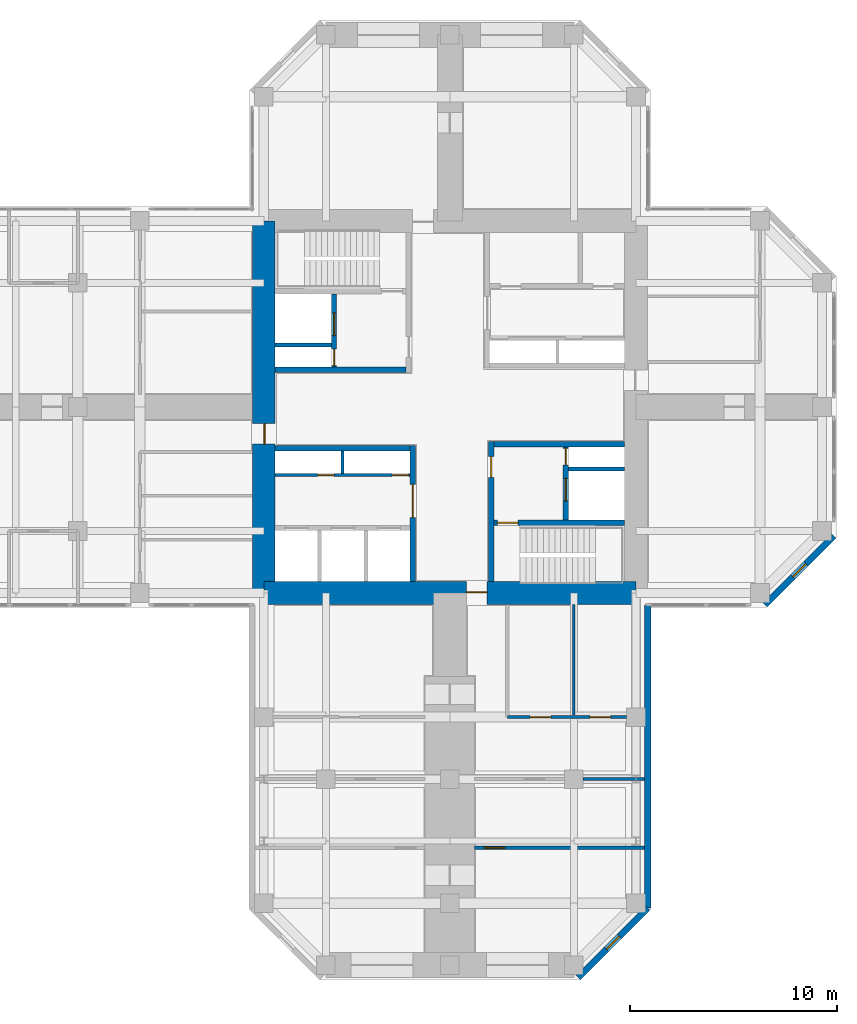
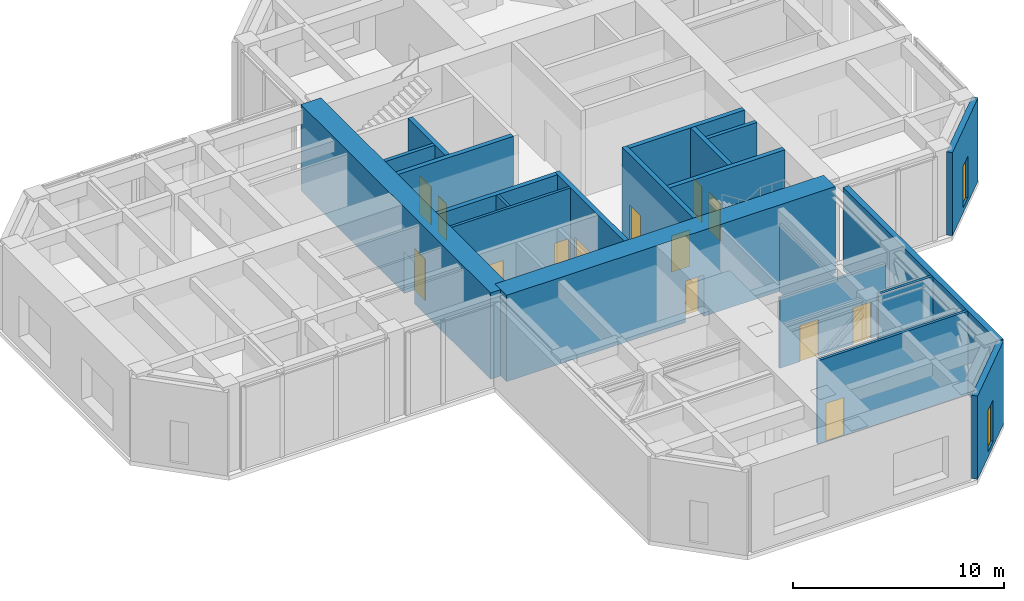
# One storey, part 7 of 10: 21 walls, 14 doors, 2 windows, 16 openings.
"""IFC4 building model written with IfcOpenShell, lengths in metres."""

from ifc_helpers import new_model, si_unit, direction, frame, frame_2d, origin, place, context, subcontext, project, spatial, rectangle, hollow_rectangle, extrude, material, layer, layer_set, constituent, constituent_set, type_object, element, fill, save


model = new_model("IFC4")

# Units and contexts
model_context = context("Model", 3, precision=1e-05, world=origin(), true_north=direction((0.0, 1.0)))
body_context = subcontext(model_context, "Body", "Model", "MODEL_VIEW")
ifc_project = project(units=[si_unit("LENGTHUNIT", "METRE"), si_unit("AREAUNIT", "SQUARE_METRE"), si_unit("VOLUMEUNIT", "CUBIC_METRE"), si_unit("PLANEANGLEUNIT", "RADIAN"), si_unit("MASSUNIT", "GRAM", prefix="KILO")], contexts=[model_context])

# Site, building, storey
site_placement = place(None, origin())
site = spatial("IfcSite", under=ifc_project, at=site_placement, CompositionType="ELEMENT")
building_placement = place(site_placement, origin())
building = spatial("IfcBuilding", under=site, at=building_placement, Name="Torre Cruceta", CompositionType="ELEMENT")
storey_placement = place(building_placement, frame((0.0, 0.0, 217.10009765625)))
storey = spatial("IfcBuildingStorey", under=building, at=storey_placement, Name="L55", CompositionType="ELEMENT", Elevation=217.10009765625)

# Wall
ifc_material_1 = material(Name="Concrete G60 (fck 60 MPa)", Category="concrete")
ifc_layer_1 = layer(ifc_material_1, 0.25)
ifc_layer_set_1 = layer_set([ifc_layer_1], Name="Concrete G60 (fck 60 MPa)")
wall_type_1 = type_object("IfcWallType", Name="CORE INNER WALL 250 G60", PredefinedType="SHEAR", material=ifc_layer_set_1)
wall_1_placement = place(storey_placement, frame((-2.125, 1.800048828125, 0.0), z_axis=(0.0, 0.0, 1.0), x_axis=(-1.0, 0.0, 0.0)))
element("IfcWall", 1, at=wall_1_placement, inside=storey, type_object=wall_type_1, Name="CW4 L55 NW-CV", PredefinedType="SHEAR", context=body_context, shape_type="SweptSolid", body=[
    extrude(rectangle(XDim=6.324951171875, YDim=0.25, at=frame_2d((3.16259765625, 0.0))), origin(), (0.0, 0.0, 1.0), 5.0),
])

# Wall, openings, doors
wall_2_placement = place(storey_placement, frame((-5.60009765625, 1.925048828125, 0.0), z_axis=(0.0, 0.0, 1.0), x_axis=(0.0, 1.0, 0.0)))
wall_2 = element("IfcWall", 2, at=wall_2_placement, inside=storey, type_object=wall_type_1, Name="CW4 L55 NW-FU", PredefinedType="SHEAR", context=body_context, shape_type="SweptSolid", body=[
    extrude(rectangle(XDim=3.550048828125, YDim=0.25, at=frame_2d((1.77490234375, 0.0))), origin(), (0.0, 0.0, 1.0), 5.0),
])
opening_1_placement = place(wall_2_placement, frame((1.52490234375, 0.0, 0.0)))
opening_1 = element("IfcOpeningElement", 3, at=opening_1_placement, cuts=wall_2, Name="Opening LD1", PredefinedType="OPENING", context=body_context, shape_type="SweptSolid", body=[
    extrude(rectangle(XDim=1.10009765625, YDim=2.199951171875, at=frame_2d((0.550048828125, 1.10009765625))), frame((0.0, 0.135009765625, 0.0), z_axis=(0.0, -1.0, 0.0), x_axis=(1.0, 0.0, 0.0)), (0.0, 0.0, 1.0), 0.27001953125),
])
opening_2_placement = place(wall_2_placement, frame((0.074951171875, 0.0, 0.0)))
opening_2 = element("IfcOpeningElement", 4, at=opening_2_placement, cuts=wall_2, Name="Opening D5", PredefinedType="OPENING", context=body_context, shape_type="SweptSolid", body=[
    extrude(rectangle(XDim=0.800048828125, YDim=2.10009765625, at=frame_2d((0.39990234375, 1.050048828125))), frame((0.0, 0.135009765625, 0.0), z_axis=(0.0, -1.0, 0.0), x_axis=(1.0, 0.0, 0.0)), (0.0, 0.0, 1.0), 0.27001953125),
])
ifc_material_2 = material(Name="Stainless steel 1.4401", Category="steel")
door_type_1 = type_object("IfcDoorType", Name="LIFT LANDING DOOR 1100X2200", OperationType="DOUBLE_DOOR_SLIDING", PredefinedType="DOOR", material=ifc_material_2)
door_1_placement = place(opening_1_placement, origin())
door_1 = element("IfcDoor", 5, at=door_1_placement, inside=storey, type_object=door_type_1, Name="Lift landing door FL1", OperationType="DOUBLE_DOOR_SLIDING", OverallHeight=2.199951171875, OverallWidth=1.10009765625, PredefinedType="DOOR", context=body_context, shape_type="SweptSolid", body=[
    extrude(rectangle(XDim=1.10009765625, YDim=2.199951171875, at=frame_2d((0.550048828125, 1.10009765625))), frame((0.0, 0.02490234375, 0.0), z_axis=(0.0, -1.0, 0.0), x_axis=(1.0, 0.0, 0.0)), (0.0, 0.0, 1.0), 0.050048828125),
])
fill(opening_1, door_1)
ifc_material_3 = material(Name="Steel DX51D", Category="steel")
ifc_constituent_1 = constituent(ifc_material_3, Name="Leaf and frame")
ifc_material_4 = material(Name="Polyester powder coating", Category="paint")
ifc_constituent_2 = constituent(ifc_material_4, Name="Finish")
ifc_constituent_set_1 = constituent_set(constituents=[ifc_constituent_1, ifc_constituent_2], Name="Steel fire door")
door_type_2 = type_object("IfcDoorType", Name="RISER ACCESS DOOR 800X2100", OperationType="SINGLE_SWING_LEFT", PredefinedType="DOOR", material=ifc_constituent_set_1)
door_2_placement = place(opening_2_placement, origin())
door_2 = element("IfcDoor", 6, at=door_2_placement, inside=storey, type_object=door_type_2, Name="D5 L55 NW-RISER", OperationType="SINGLE_SWING_LEFT", OverallHeight=2.10009765625, OverallWidth=0.800048828125, PredefinedType="DOOR", context=body_context, shape_type="SweptSolid", body=[
    extrude(rectangle(XDim=0.800048828125, YDim=2.10009765625, at=frame_2d((0.39990234375, 1.050048828125))), frame((0.0, 0.02490234375, 0.0), z_axis=(0.0, -1.0, 0.0), x_axis=(1.0, 0.0, 0.0)), (0.0, 0.0, 1.0), 0.050048828125),
])
fill(opening_2, door_2)

# Wall, opening, door
wall_3_placement = place(storey_placement, frame((-1.800048828125, -1.875, 0.0), z_axis=(0.0, 0.0, 1.0), x_axis=(0.0, -1.0, 0.0)))
wall_3 = element("IfcWall", 7, at=wall_3_placement, inside=storey, type_object=wall_type_1, Name="CW4 L55 SW-CU", PredefinedType="SHEAR", context=body_context, shape_type="SweptSolid", body=[
    extrude(rectangle(XDim=6.574951171875, YDim=0.25, at=frame_2d((3.28759765625, 0.0))), origin(), (0.0, 0.0, 1.0), 5.0),
])
opening_3_placement = place(wall_3_placement, frame((1.875, 0.0, 0.0)))
opening_3 = element("IfcOpeningElement", 8, at=opening_3_placement, cuts=wall_3, Name="Opening D8", PredefinedType="OPENING", context=body_context, shape_type="SweptSolid", body=[
    extrude(rectangle(XDim=1.60009765625, YDim=2.39990234375, at=frame_2d((0.800048828125, 1.199951171875))), frame((0.0, 0.135009765625, 0.0), z_axis=(0.0, -1.0, 0.0), x_axis=(1.0, 0.0, 0.0)), (0.0, 0.0, 1.0), 0.27001953125),
])
ifc_material_5 = material(Name="Steel DX51D", Category="steel")
ifc_constituent_3 = constituent(ifc_material_5, Name="Leaf and frame")
ifc_material_6 = material(Name="Polyester powder coating", Category="paint")
ifc_constituent_4 = constituent(ifc_material_6, Name="Finish")
ifc_material_7 = material(Name="Fire-resisting glass", Category="glass")
ifc_constituent_5 = constituent(ifc_material_7, Name="Vision panel")
ifc_constituent_set_2 = constituent_set(constituents=[ifc_constituent_3, ifc_constituent_4, ifc_constituent_5], Name="Steel fire door with vision panels")
door_type_3 = type_object("IfcDoorType", Name="LIFT LOBBY DOUBLE DOOR 1600X2400", OperationType="DOUBLE_DOOR_DOUBLE_SWING", PredefinedType="DOOR", material=ifc_constituent_set_2)
door_3_placement = place(opening_3_placement, origin())
door_3 = element("IfcDoor", 9, at=door_3_placement, inside=storey, type_object=door_type_3, Name="D8 L55 SW-LOBBY", OperationType="DOUBLE_DOOR_DOUBLE_SWING", OverallHeight=2.39990234375, OverallWidth=1.60009765625, PredefinedType="DOOR", context=body_context, shape_type="SweptSolid", body=[
    extrude(rectangle(XDim=1.60009765625, YDim=2.39990234375, at=frame_2d((0.800048828125, 1.199951171875))), frame((0.0, 0.02490234375, 0.0), z_axis=(0.0, -1.0, 0.0), x_axis=(1.0, 0.0, 0.0)), (0.0, 0.0, 1.0), 0.050048828125),
])
fill(opening_3, door_3)

# Wall
wall_4_placement = place(storey_placement, frame((-1.925048828125, -2.0, 0.0), z_axis=(0.0, 0.0, 1.0), x_axis=(-1.0, 0.0, 0.0)))
element("IfcWall", 10, at=wall_4_placement, inside=storey, type_object=wall_type_1, Name="CW4 L55 SW-CV", PredefinedType="SHEAR", context=body_context, shape_type="SweptSolid", body=[
    extrude(rectangle(XDim=6.52490234375, YDim=0.25, at=frame_2d((3.262451171875, 0.0))), origin(), (0.0, 0.0, 1.0), 5.0),
])

# Wall, opening, door
wall_5_placement = place(storey_placement, frame((2.0, -1.675048828125, 0.0), z_axis=(0.0, 0.0, 1.0), x_axis=(0.0, -1.0, 0.0)))
wall_5 = element("IfcWall", 11, at=wall_5_placement, inside=storey, type_object=wall_type_1, Name="CW4 L55 SE-CU", PredefinedType="SHEAR", context=body_context, shape_type="SweptSolid", body=[
    extrude(rectangle(XDim=6.77490234375, YDim=0.25, at=frame_2d((3.387451171875, 0.0))), origin(), (0.0, 0.0, 1.0), 5.0),
])
opening_4_placement = place(wall_5_placement, frame((0.72509765625, 0.0, 0.0)))
opening_4 = element("IfcOpeningElement", 12, at=opening_4_placement, cuts=wall_5, Name="Opening D3", PredefinedType="OPENING", context=body_context, shape_type="SweptSolid", body=[
    extrude(rectangle(XDim=1.0, YDim=2.10009765625, at=frame_2d((0.5, 1.050048828125))), frame((0.0, 0.135009765625, 0.0), z_axis=(0.0, -1.0, 0.0), x_axis=(1.0, 0.0, 0.0)), (0.0, 0.0, 1.0), 0.27001953125),
])
ifc_material_8 = material(Name="Steel DX51D", Category="steel")
ifc_constituent_6 = constituent(ifc_material_8, Name="Leaf and frame")
ifc_material_9 = material(Name="Polyester powder coating", Category="paint")
ifc_constituent_7 = constituent(ifc_material_9, Name="Finish")
ifc_constituent_set_3 = constituent_set(constituents=[ifc_constituent_6, ifc_constituent_7], Name="Steel fire door")
door_type_4 = type_object("IfcDoorType", Name="FIRE DOOR 1000X2100", OperationType="SINGLE_SWING_LEFT", PredefinedType="DOOR", material=ifc_constituent_set_3)
door_4_placement = place(opening_4_placement, origin())
door_4 = element("IfcDoor", 13, at=door_4_placement, inside=storey, type_object=door_type_4, Name="D3 L55 SE-LOBBY", OperationType="SINGLE_SWING_LEFT", OverallHeight=2.10009765625, OverallWidth=1.0, PredefinedType="DOOR", context=body_context, shape_type="SweptSolid", body=[
    extrude(rectangle(XDim=1.0, YDim=2.10009765625, at=frame_2d((0.5, 1.050048828125))), frame((0.0, 0.02490234375, 0.0), z_axis=(0.0, -1.0, 0.0), x_axis=(1.0, 0.0, 0.0)), (0.0, 0.0, 1.0), 0.050048828125),
])
fill(opening_4, door_4)

# Wall
wall_6_placement = place(storey_placement, frame((2.125, -1.800048828125, 0.0), z_axis=(0.0, 0.0, 1.0), x_axis=(1.0, 0.0, 0.0)))
element("IfcWall", 14, at=wall_6_placement, inside=storey, type_object=wall_type_1, Name="CW4 L55 SE-CV", PredefinedType="SHEAR", context=body_context, shape_type="SweptSolid", body=[
    extrude(rectangle(XDim=6.324951171875, YDim=0.25, at=frame_2d((3.16259765625, 0.0))), origin(), (0.0, 0.0, 1.0), 5.0),
])

# Wall, opening, door
wall_7_placement = place(storey_placement, frame((2.125, -5.60009765625, 0.0), z_axis=(0.0, 0.0, 1.0), x_axis=(1.0, 0.0, 0.0)))
wall_7 = element("IfcWall", 15, at=wall_7_placement, inside=storey, type_object=wall_type_1, Name="CW4 L55 SE-SV", PredefinedType="SHEAR", context=body_context, shape_type="SweptSolid", body=[
    extrude(rectangle(XDim=6.324951171875, YDim=0.25, at=frame_2d((3.16259765625, 0.0))), origin(), (0.0, 0.0, 1.0), 5.0),
])
opening_5_placement = place(wall_7_placement, frame((0.175048828125, 0.0, 0.0)))
opening_5 = element("IfcOpeningElement", 16, at=opening_5_placement, cuts=wall_7, Name="Opening D3", PredefinedType="OPENING", context=body_context, shape_type="SweptSolid", body=[
    extrude(rectangle(XDim=1.0, YDim=2.10009765625, at=frame_2d((0.5, 1.050048828125))), frame((0.0, 0.135009765625, 0.0), z_axis=(0.0, -1.0, 0.0), x_axis=(1.0, 0.0, 0.0)), (0.0, 0.0, 1.0), 0.27001953125),
])
door_5_placement = place(opening_5_placement, frame((1.0, 0.0, 0.0), z_axis=(0.0, 0.0, 1.0), x_axis=(-1.0, 0.0, 0.0)))
door_5 = element("IfcDoor", 17, at=door_5_placement, inside=storey, type_object=door_type_4, Name="D3 L55 SE-STAIR", OperationType="SINGLE_SWING_RIGHT", OverallHeight=2.10009765625, OverallWidth=1.0, PredefinedType="DOOR", context=body_context, shape_type="SweptSolid", body=[
    extrude(rectangle(XDim=1.0, YDim=2.10009765625, at=frame_2d((0.5, 1.050048828125))), frame((0.0, 0.025146484375, 0.0), z_axis=(0.0, -1.0, 0.0), x_axis=(1.0, 0.0, 0.0)), (0.0, 0.0, 1.0), 0.050048828125),
])
fill(opening_5, door_5)

# Wall, openings, doors
wall_8_placement = place(storey_placement, frame((5.60009765625, -1.925048828125, 0.0), z_axis=(0.0, 0.0, 1.0), x_axis=(0.0, -1.0, 0.0)))
wall_8 = element("IfcWall", 18, at=wall_8_placement, inside=storey, type_object=wall_type_1, Name="CW4 L55 SE-FU", PredefinedType="SHEAR", context=body_context, shape_type="SweptSolid", body=[
    extrude(rectangle(XDim=3.550048828125, YDim=0.25, at=frame_2d((1.77490234375, 0.0))), origin(), (0.0, 0.0, 1.0), 5.0),
])
opening_6_placement = place(wall_8_placement, frame((1.52490234375, 0.0, 0.0)))
opening_6 = element("IfcOpeningElement", 19, at=opening_6_placement, cuts=wall_8, Name="Opening LD1", PredefinedType="OPENING", context=body_context, shape_type="SweptSolid", body=[
    extrude(rectangle(XDim=1.10009765625, YDim=2.199951171875, at=frame_2d((0.550048828125, 1.10009765625))), frame((0.0, 0.135009765625, 0.0), z_axis=(0.0, -1.0, 0.0), x_axis=(1.0, 0.0, 0.0)), (0.0, 0.0, 1.0), 0.27001953125),
])
opening_7_placement = place(wall_8_placement, frame((0.074951171875, 0.0, 0.0)))
opening_7 = element("IfcOpeningElement", 20, at=opening_7_placement, cuts=wall_8, Name="Opening D5", PredefinedType="OPENING", context=body_context, shape_type="SweptSolid", body=[
    extrude(rectangle(XDim=0.800048828125, YDim=2.10009765625, at=frame_2d((0.39990234375, 1.050048828125))), frame((0.0, 0.135009765625, 0.0), z_axis=(0.0, -1.0, 0.0), x_axis=(1.0, 0.0, 0.0)), (0.0, 0.0, 1.0), 0.27001953125),
])
door_6_placement = place(opening_6_placement, origin())
door_6 = element("IfcDoor", 21, at=door_6_placement, inside=storey, type_object=door_type_1, Name="Lift landing door FL2", OperationType="DOUBLE_DOOR_SLIDING", OverallHeight=2.199951171875, OverallWidth=1.10009765625, PredefinedType="DOOR", context=body_context, shape_type="SweptSolid", body=[
    extrude(rectangle(XDim=1.10009765625, YDim=2.199951171875, at=frame_2d((0.550048828125, 1.10009765625))), frame((0.0, 0.02490234375, 0.0), z_axis=(0.0, -1.0, 0.0), x_axis=(1.0, 0.0, 0.0)), (0.0, 0.0, 1.0), 0.050048828125),
])
fill(opening_6, door_6)
door_7_placement = place(opening_7_placement, origin())
door_7 = element("IfcDoor", 22, at=door_7_placement, inside=storey, type_object=door_type_2, Name="D5 L55 SE-RISER", OperationType="SINGLE_SWING_LEFT", OverallHeight=2.10009765625, OverallWidth=0.800048828125, PredefinedType="DOOR", context=body_context, shape_type="SweptSolid", body=[
    extrude(rectangle(XDim=0.800048828125, YDim=2.10009765625, at=frame_2d((0.39990234375, 1.050048828125))), frame((0.0, 0.02490234375, 0.0), z_axis=(0.0, -1.0, 0.0), x_axis=(1.0, 0.0, 0.0)), (0.0, 0.0, 1.0), 0.050048828125),
])
fill(opening_7, door_7)

# Wall, opening, door
ifc_material_10 = material(Name="Concrete G60 (fck 60 MPa)", Category="concrete")
ifc_layer_2 = layer(ifc_material_10, 1.10009765625)
ifc_layer_set_2 = layer_set([ifc_layer_2], Name="Concrete G60 (fck 60 MPa)")
wall_type_2 = type_object("IfcWallType", Name="CORE WALL 1100 G60", PredefinedType="SHEAR", material=ifc_layer_set_2)
wall_9_placement = place(storey_placement, frame((-9.0, -9.0, 0.0), z_axis=(0.0, 0.0, 1.0), x_axis=(1.0, 0.0, 0.0)))
wall_9 = element("IfcWall", 23, at=wall_9_placement, inside=storey, type_object=wall_type_2, Name="CW2 L55 CW-S", PredefinedType="SHEAR", context=body_context, shape_type="SweptSolid", body=[
    extrude(rectangle(XDim=18.0, YDim=1.10009765625, at=frame_2d((9.0, 0.0))), origin(), (0.0, 0.0, 1.0), 5.0),
])
opening_8_placement = place(wall_9_placement, frame((9.800048828125, 0.0, 0.0)))
opening_8 = element("IfcOpeningElement", 24, at=opening_8_placement, cuts=wall_9, Name="Opening D4", PredefinedType="OPENING", context=body_context, shape_type="SweptSolid", body=[
    extrude(rectangle(XDim=1.0, YDim=2.39990234375, at=frame_2d((0.5, 1.199951171875))), frame((0.0, 0.56005859375, 0.0), z_axis=(0.0, -1.0, 0.0), x_axis=(1.0, 0.0, 0.0)), (0.0, 0.0, 1.0), 1.1201171875),
])
ifc_material_11 = material(Name="Steel DX51D", Category="steel")
ifc_constituent_8 = constituent(ifc_material_11, Name="Leaf and frame")
ifc_material_12 = material(Name="Polyester powder coating", Category="paint")
ifc_constituent_9 = constituent(ifc_material_12, Name="Finish")
ifc_constituent_set_4 = constituent_set(constituents=[ifc_constituent_8, ifc_constituent_9], Name="Steel fire door")
door_type_5 = type_object("IfcDoorType", Name="CORE ARM DOOR 1000X2400", OperationType="SINGLE_SWING_RIGHT", PredefinedType="DOOR", material=ifc_constituent_set_4)
door_8_placement = place(opening_8_placement, frame((1.0, 0.0, 0.0), z_axis=(0.0, 0.0, 1.0), x_axis=(-1.0, 0.0, 0.0)))
door_8 = element("IfcDoor", 25, at=door_8_placement, inside=storey, type_object=door_type_5, Name="D4 L55 CW-S", OperationType="SINGLE_SWING_RIGHT", OverallHeight=2.39990234375, OverallWidth=1.0, PredefinedType="DOOR", context=body_context, shape_type="SweptSolid", body=[
    extrude(rectangle(XDim=1.0, YDim=2.39990234375, at=frame_2d((0.5, 1.199951171875))), frame((0.0, -0.005126953125, 0.0), z_axis=(0.0, -1.0, 0.0), x_axis=(1.0, 0.0, 0.0)), (0.0, 0.0, 1.0), 0.050048828125),
])
fill(opening_8, door_8)

wall_10_placement = place(storey_placement, frame((-9.0, 9.0, 0.0), z_axis=(0.0, 0.0, 1.0), x_axis=(0.0, -1.0, 0.0)))
wall_10 = element("IfcWall", 26, at=wall_10_placement, inside=storey, type_object=wall_type_2, Name="CW2 L55 CW-W", PredefinedType="SHEAR", context=body_context, shape_type="SweptSolid", body=[
    extrude(rectangle(XDim=18.0, YDim=1.10009765625, at=frame_2d((9.0, 0.0))), origin(), (0.0, 0.0, 1.0), 5.0),
])
opening_9_placement = place(wall_10_placement, frame((9.800048828125, 0.0, 0.0)))
opening_9 = element("IfcOpeningElement", 27, at=opening_9_placement, cuts=wall_10, Name="Opening D4", PredefinedType="OPENING", context=body_context, shape_type="SweptSolid", body=[
    extrude(rectangle(XDim=1.0, YDim=2.39990234375, at=frame_2d((0.5, 1.199951171875))), frame((0.0, 0.56005859375, 0.0), z_axis=(0.0, -1.0, 0.0), x_axis=(1.0, 0.0, 0.0)), (0.0, 0.0, 1.0), 1.1201171875),
])
door_9_placement = place(opening_9_placement, frame((1.0, 0.0, 0.0), z_axis=(0.0, 0.0, 1.0), x_axis=(-1.0, 0.0, 0.0)))
door_9 = element("IfcDoor", 28, at=door_9_placement, inside=storey, type_object=door_type_5, Name="D4 L55 CW-W", OperationType="SINGLE_SWING_RIGHT", OverallHeight=2.39990234375, OverallWidth=1.0, PredefinedType="DOOR", context=body_context, shape_type="SweptSolid", body=[
    extrude(rectangle(XDim=1.0, YDim=2.39990234375, at=frame_2d((0.5, 1.199951171875))), frame((0.0, -0.005126953125, 0.0), z_axis=(0.0, -1.0, 0.0), x_axis=(1.0, 0.0, 0.0)), (0.0, 0.0, 1.0), 0.050048828125),
])
fill(opening_9, door_9)

# Wall, opening, window
ifc_material_13 = material(Name="Concrete G30 (fck 30 MPa)", Category="concrete")
ifc_layer_3 = layer(ifc_material_13, 0.300048828125)
ifc_layer_set_3 = layer_set([ifc_layer_3], Name="Concrete G30 (fck 30 MPa)")
wall_type_3 = type_object("IfcWallType", Name="EXPOSED CONCRETE FACADE WALL 300", PredefinedType="SOLIDWALL", material=ifc_layer_set_3)
wall_11_placement = place(storey_placement, frame((15.236083984375, -9.570068359375, 0.0), z_axis=(0.0, 0.0, 1.0), x_axis=(0.707106781187, 0.707106781187, 0.0)))
wall_11 = element("IfcWall", 29, at=wall_11_placement, inside=storey, type_object=wall_type_3, Name="EW1 facade wall L55 E chamfer 01", PredefinedType="SOLIDWALL", context=body_context, shape_type="SweptSolid", body=[
    extrude(rectangle(XDim=4.715087890625, YDim=0.300048828125, at=frame_2d((2.357421875, 0.0))), origin(), (0.0, 0.0, 1.0), 4.81982421875),
])
opening_10_placement = place(wall_11_placement, frame((1.907470703125, 0.0, 0.300048828125)))
opening_10 = element("IfcOpeningElement", 30, at=opening_10_placement, cuts=wall_11, Name="Opening WN5", PredefinedType="OPENING", context=body_context, shape_type="SweptSolid", body=[
    extrude(rectangle(XDim=0.89990234375, YDim=2.39990234375, at=frame_2d((0.449951171875, 1.199951171875))), frame((0.0, 0.159912109375, 0.0), z_axis=(0.0, -1.0, 0.0), x_axis=(1.0, 0.0, 0.0)), (0.0, 0.0, 1.0), 0.320068359375),
])
ifc_material_14 = material(Name="Aluminium window frame", Category="aluminium")
ifc_constituent_10 = constituent(ifc_material_14, Name="Frame")
ifc_material_15 = material(Name="Laminated insulating glass unit, low-iron clear", Category="glass")
ifc_constituent_11 = constituent(ifc_material_15, Name="Glazing")
ifc_constituent_set_5 = constituent_set(constituents=[ifc_constituent_10, ifc_constituent_11], Name="Aluminium window")
window_type = type_object("IfcWindowType", Name="CHAMFER SLOT WINDOW 900X2400", PartitioningType="SINGLE_PANEL", PredefinedType="WINDOW", material=ifc_constituent_set_5)
window_1_placement = place(opening_10_placement, origin())
window_1 = element("IfcWindow", 31, at=window_1_placement, inside=storey, type_object=window_type, Name="WN5 L55 E 1", OverallHeight=2.39990234375, OverallWidth=0.89990234375, PartitioningType="SINGLE_PANEL", PredefinedType="WINDOW", context=body_context, shape_type="SweptSolid", body=[
    extrude(hollow_rectangle(XDim=0.89990234375, YDim=2.39990234375, WallThickness=0.06005859375, at=frame_2d((0.449951171875, 1.199951171875))), frame((0.0, 0.030029296875, 0.0), z_axis=(0.0, -1.0, 0.0), x_axis=(1.0, 0.0, 0.0)), (0.0, 0.0, 1.0), 0.06005859375),
    extrude(rectangle(XDim=0.77880859375, YDim=2.27880859375, at=frame_2d((0.449951171875, 1.199951171875))), frame((0.0, 0.030029296875, 0.0), z_axis=(0.0, -1.0, 0.0), x_axis=(1.0, 0.0, 0.0)), (0.0, 0.0, 1.0), 0.06005859375),
])
fill(opening_10, window_1)

wall_12_placement = place(storey_placement, frame((6.2060546875, -27.60009765625, 0.0), z_axis=(0.0, 0.0, 1.0), x_axis=(0.707106781187, 0.707106781187, 0.0)))
wall_12 = element("IfcWall", 32, at=wall_12_placement, inside=storey, type_object=wall_type_3, Name="EW1 facade wall L55 S chamfer 18", PredefinedType="SOLIDWALL", context=body_context, shape_type="SweptSolid", body=[
    extrude(rectangle(XDim=4.75732421875, YDim=0.300048828125, at=frame_2d((2.378662109375, 0.0))), origin(), (0.0, 0.0, 1.0), 4.81982421875),
])
opening_11_placement = place(wall_12_placement, frame((1.9287109375, 0.0, 0.300048828125)))
opening_11 = element("IfcOpeningElement", 33, at=opening_11_placement, cuts=wall_12, Name="Opening WN5", PredefinedType="OPENING", context=body_context, shape_type="SweptSolid", body=[
    extrude(rectangle(XDim=0.89990234375, YDim=2.39990234375, at=frame_2d((0.449951171875, 1.199951171875))), frame((0.0, 0.159912109375, 0.0), z_axis=(0.0, -1.0, 0.0), x_axis=(1.0, 0.0, 0.0)), (0.0, 0.0, 1.0), 0.320068359375),
])
window_2_placement = place(opening_11_placement, origin())
window_2 = element("IfcWindow", 34, at=window_2_placement, inside=storey, type_object=window_type, Name="WN5 L55 S 1", OverallHeight=2.39990234375, OverallWidth=0.89990234375, PartitioningType="SINGLE_PANEL", PredefinedType="WINDOW", context=body_context, shape_type="SweptSolid", body=[
    extrude(hollow_rectangle(XDim=0.89990234375, YDim=2.39990234375, WallThickness=0.06005859375, at=frame_2d((0.449951171875, 1.199951171875))), frame((0.0, 0.030029296875, 0.0), z_axis=(0.0, -1.0, 0.0), x_axis=(1.0, 0.0, 0.0)), (0.0, 0.0, 1.0), 0.06005859375),
    extrude(rectangle(XDim=0.77880859375, YDim=2.27880859375, at=frame_2d((0.449951171875, 1.199951171875))), frame((0.0, 0.030029296875, 0.0), z_axis=(0.0, -1.0, 0.0), x_axis=(1.0, 0.0, 0.0)), (0.0, 0.0, 1.0), 0.06005859375),
])
fill(opening_11, window_2)

# Walls
wall_13_placement = place(storey_placement, frame((9.570068359375, -24.236083984375, 0.0), z_axis=(0.0, 0.0, 1.0), x_axis=(0.0, 1.0, 0.0)))
element("IfcWall", 35, at=wall_13_placement, inside=storey, type_object=wall_type_3, Name="EW1 facade wall L55 S side 19", PredefinedType="SOLIDWALL", context=body_context, shape_type="SweptSolid", body=[
    extrude(rectangle(XDim=14.666015625, YDim=0.300048828125, at=frame_2d((7.3330078125, 0.0))), origin(), (0.0, 0.0, 1.0), 4.81982421875),
])
ifc_material_16 = material(Name="Concrete G35 (fck 35 MPa)", Category="concrete")
ifc_layer_4 = layer(ifc_material_16, 0.199951171875)
ifc_layer_set_4 = layer_set([ifc_layer_4], Name="Concrete G35 (fck 35 MPa)")
wall_type_4 = type_object("IfcWallType", Name="LIFT SHAFT WALL 200", PredefinedType="PARTITIONING", material=ifc_layer_set_4)
for number, where, z_axis, x_axis, name in (
    (36, (-5.72509765625, 3.0, 0.0), (0.0, 0.0, 1.0), (-1.0, 0.0, 0.0), "SW1 L55 NW-FR"),
    (37, (5.72509765625, -3.0, 0.0), (0.0, 0.0, 1.0), (1.0, 0.0, 0.0), "SW1 L55 SE-FR"),
):
    element("IfcWall", number, at=place(storey_placement, frame(where, z_axis=z_axis, x_axis=x_axis)), inside=storey, type_object=wall_type_4, Name=name, PredefinedType="PARTITIONING", context=body_context, shape_type="SweptSolid", body=[
        extrude(rectangle(XDim=2.724853515625, YDim=0.199951171875, at=frame_2d((1.3623046875, 0.0))), origin(), (0.0, 0.0, 1.0), 5.0),
    ])

# Wall, openings, doors
ifc_material_17 = material(Name="Plasterboard on steel studs", Category="steel")
ifc_layer_5 = layer(ifc_material_17, 0.14990234375)
ifc_layer_set_5 = layer_set([ifc_layer_5], Name="Plasterboard on steel studs")
wall_type_5 = type_object("IfcWallType", Name="PARTITION 150", PredefinedType="PARTITIONING", material=ifc_layer_set_5)
wall_14_placement = place(storey_placement, frame((2.77490234375, -15.0, 0.0), z_axis=(0.0, 0.0, 1.0), x_axis=(1.0, 0.0, 0.0)))
wall_14 = element("IfcWall", 38, at=wall_14_placement, inside=storey, type_object=wall_type_5, Name="PT1 L55-S-BFL", PredefinedType="PARTITIONING", context=body_context, shape_type="SweptSolid", body=[
    extrude(rectangle(XDim=5.775146484375, YDim=0.14990234375, at=frame_2d((2.8876953125, 0.0))), origin(), (0.0, 0.0, 1.0), 4.06982421875),
])
opening_12_placement = place(wall_14_placement, frame((1.111572265625, 0.0, 0.0)))
opening_12 = element("IfcOpeningElement", 39, at=opening_12_placement, cuts=wall_14, Name="Opening D3", PredefinedType="OPENING", context=body_context, shape_type="SweptSolid", body=[
    extrude(rectangle(XDim=1.0, YDim=2.10009765625, at=frame_2d((0.5, 1.050048828125))), frame((0.0, 0.0849609375, 0.0), z_axis=(0.0, -1.0, 0.0), x_axis=(1.0, 0.0, 0.0)), (0.0, 0.0, 1.0), 0.169921875),
])
opening_13_placement = place(wall_14_placement, frame((3.9990234375, 0.0, 0.0)))
opening_13 = element("IfcOpeningElement", 40, at=opening_13_placement, cuts=wall_14, Name="Opening D3", PredefinedType="OPENING", context=body_context, shape_type="SweptSolid", body=[
    extrude(rectangle(XDim=1.0, YDim=2.10009765625, at=frame_2d((0.5, 1.050048828125))), frame((0.0, 0.0849609375, 0.0), z_axis=(0.0, -1.0, 0.0), x_axis=(1.0, 0.0, 0.0)), (0.0, 0.0, 1.0), 0.169921875),
])
door_10_placement = place(opening_12_placement, origin())
door_10 = element("IfcDoor", 41, at=door_10_placement, inside=storey, type_object=door_type_4, Name="D3 L55-S-BFL-D1", OperationType="SINGLE_SWING_LEFT", OverallHeight=2.10009765625, OverallWidth=1.0, PredefinedType="DOOR", context=body_context, shape_type="SweptSolid", body=[
    extrude(rectangle(XDim=1.0, YDim=2.10009765625, at=frame_2d((0.5, 1.050048828125))), frame((0.0, 0.02490234375, 0.0), z_axis=(0.0, -1.0, 0.0), x_axis=(1.0, 0.0, 0.0)), (0.0, 0.0, 1.0), 0.050048828125),
])
fill(opening_12, door_10)
door_11_placement = place(opening_13_placement, origin())
door_11 = element("IfcDoor", 42, at=door_11_placement, inside=storey, type_object=door_type_4, Name="D3 L55-S-BFL-D2", OperationType="SINGLE_SWING_LEFT", OverallHeight=2.10009765625, OverallWidth=1.0, PredefinedType="DOOR", context=body_context, shape_type="SweptSolid", body=[
    extrude(rectangle(XDim=1.0, YDim=2.10009765625, at=frame_2d((0.5, 1.050048828125))), frame((0.0, 0.02490234375, 0.0), z_axis=(0.0, -1.0, 0.0), x_axis=(1.0, 0.0, 0.0)), (0.0, 0.0, 1.0), 0.050048828125),
])
fill(opening_13, door_11)

# Wall, opening, door
wall_15_placement = place(storey_placement, frame((1.199951171875, -21.320068359375, 0.0), z_axis=(0.0, 0.0, 1.0), x_axis=(1.0, 0.0, 0.0)))
wall_15 = element("IfcWall", 43, at=wall_15_placement, inside=storey, type_object=wall_type_5, Name="PT1 L55-S-TWL", PredefinedType="PARTITIONING", context=body_context, shape_type="SweptSolid", body=[
    extrude(rectangle(XDim=8.219970703125, YDim=0.14990234375, at=frame_2d((4.10986328125, 0.0))), origin(), (0.0, 0.0, 1.0), 4.81982421875),
])
opening_14_placement = place(wall_15_placement, frame((0.449951171875, 0.0, 0.0)))
opening_14 = element("IfcOpeningElement", 44, at=opening_14_placement, cuts=wall_15, Name="Opening D14", PredefinedType="OPENING", context=body_context, shape_type="SweptSolid", body=[
    extrude(rectangle(XDim=1.0, YDim=2.199951171875, at=frame_2d((0.5, 1.10009765625))), frame((0.0, 0.0849609375, 0.0), z_axis=(0.0, -1.0, 0.0), x_axis=(1.0, 0.0, 0.0)), (0.0, 0.0, 1.0), 0.169921875),
])
ifc_material_18 = material(Name="Steel DX51D", Category="steel")
ifc_constituent_12 = constituent(ifc_material_18, Name="Leaf and frame")
ifc_material_19 = material(Name="Polyester powder coating", Category="paint")
ifc_constituent_13 = constituent(ifc_material_19, Name="Finish")
ifc_material_20 = material(Name="Fire-resisting glass", Category="glass")
ifc_constituent_14 = constituent(ifc_material_20, Name="Vision panel")
ifc_constituent_set_6 = constituent_set(constituents=[ifc_constituent_12, ifc_constituent_13, ifc_constituent_14], Name="Steel fire door with vision panel")
door_type_6 = type_object("IfcDoorType", Name="FIRE DOOR VISION PANEL 1000X2200", OperationType="SINGLE_SWING_RIGHT", PredefinedType="DOOR", material=ifc_constituent_set_6)
door_12_placement = place(opening_14_placement, origin())
door_12 = element("IfcDoor", 45, at=door_12_placement, inside=storey, type_object=door_type_6, Name="D14 L55-S-TWL-D1", OperationType="SINGLE_SWING_LEFT", OverallHeight=2.199951171875, OverallWidth=1.0, PredefinedType="DOOR", context=body_context, shape_type="SweptSolid", body=[
    extrude(rectangle(XDim=1.0, YDim=2.199951171875, at=frame_2d((0.5, 1.10009765625))), frame((0.0, 0.02490234375, 0.0), z_axis=(0.0, -1.0, 0.0), x_axis=(1.0, 0.0, 0.0)), (0.0, 0.0, 1.0), 0.050048828125),
])
fill(opening_14, door_12)

# Wall
wall_16_placement = place(storey_placement, frame((6.449951171875, -18.0, 0.0), z_axis=(0.0, 0.0, 1.0), x_axis=(1.0, 0.0, 0.0)))
element("IfcWall", 46, at=wall_16_placement, inside=storey, type_object=wall_type_5, Name="PT1 L55-S-BXL2", PredefinedType="PARTITIONING", context=body_context, shape_type="SweptSolid", body=[
    extrude(rectangle(XDim=2.969970703125, YDim=0.14990234375, at=frame_2d((1.48486328125, 0.0))), origin(), (0.0, 0.0, 1.0), 4.81982421875),
])

# Wall, openings, doors
ifc_material_21 = material(Name="Concrete block masonry", Category="masonry")
ifc_layer_6 = layer(ifc_material_21, 0.14990234375)
ifc_layer_set_6 = layer_set([ifc_layer_6], Name="Concrete block masonry")
wall_type_6 = type_object("IfcWallType", Name="RISER WALL 150", PredefinedType="PARTITIONING", material=ifc_layer_set_6)
wall_17_placement = place(storey_placement, frame((-1.925048828125, -3.300048828125, 0.0), z_axis=(0.0, 0.0, 1.0), x_axis=(-1.0, 0.0, 0.0)))
wall_17 = element("IfcWall", 47, at=wall_17_placement, inside=storey, type_object=wall_type_6, Name="SW7 L55 SW-RV", PredefinedType="PARTITIONING", context=body_context, shape_type="SweptSolid", body=[
    extrude(rectangle(XDim=6.52490234375, YDim=0.14990234375, at=frame_2d((3.262451171875, 0.0))), origin(), (0.0, 0.0, 1.0), 5.0),
])
opening_15_placement = place(wall_17_placement, frame((0.074951171875, 0.0, 0.0)))
opening_15 = element("IfcOpeningElement", 48, at=opening_15_placement, cuts=wall_17, Name="Opening D5", PredefinedType="OPENING", context=body_context, shape_type="SweptSolid", body=[
    extrude(rectangle(XDim=0.800048828125, YDim=2.10009765625, at=frame_2d((0.39990234375, 1.050048828125))), frame((0.0, 0.0849609375, 0.0), z_axis=(0.0, -1.0, 0.0), x_axis=(1.0, 0.0, 0.0)), (0.0, 0.0, 1.0), 0.169921875),
])
opening_16_placement = place(wall_17_placement, frame((3.675048828125, 0.0, 0.0)))
opening_16 = element("IfcOpeningElement", 49, at=opening_16_placement, cuts=wall_17, Name="Opening D5", PredefinedType="OPENING", context=body_context, shape_type="SweptSolid", body=[
    extrude(rectangle(XDim=0.800048828125, YDim=2.10009765625, at=frame_2d((0.39990234375, 1.050048828125))), frame((0.0, 0.0849609375, 0.0), z_axis=(0.0, -1.0, 0.0), x_axis=(1.0, 0.0, 0.0)), (0.0, 0.0, 1.0), 0.169921875),
])
door_13_placement = place(opening_15_placement, frame((0.800048828125, 0.0, 0.0), z_axis=(0.0, 0.0, 1.0), x_axis=(-1.0, 0.0, 0.0)))
door_13 = element("IfcDoor", 50, at=door_13_placement, inside=storey, type_object=door_type_2, Name="D5 L55 SW-RISER1", OperationType="SINGLE_SWING_RIGHT", OverallHeight=2.10009765625, OverallWidth=0.800048828125, PredefinedType="DOOR", context=body_context, shape_type="SweptSolid", body=[
    extrude(rectangle(XDim=0.800048828125, YDim=2.10009765625, at=frame_2d((0.400146484375, 1.050048828125))), frame((0.0, 0.025146484375, 0.0), z_axis=(0.0, -1.0, 0.0), x_axis=(1.0, 0.0, 0.0)), (0.0, 0.0, 1.0), 0.050048828125),
])
fill(opening_15, door_13)
door_14_placement = place(opening_16_placement, frame((0.800048828125, 0.0, 0.0), z_axis=(0.0, 0.0, 1.0), x_axis=(-1.0, 0.0, 0.0)))
door_14 = element("IfcDoor", 51, at=door_14_placement, inside=storey, type_object=door_type_2, Name="D5 L55 SW-RISER2", OperationType="SINGLE_SWING_RIGHT", OverallHeight=2.10009765625, OverallWidth=0.800048828125, PredefinedType="DOOR", context=body_context, shape_type="SweptSolid", body=[
    extrude(rectangle(XDim=0.800048828125, YDim=2.10009765625, at=frame_2d((0.400146484375, 1.050048828125))), frame((0.0, 0.025146484375, 0.0), z_axis=(0.0, -1.0, 0.0), x_axis=(1.0, 0.0, 0.0)), (0.0, 0.0, 1.0), 0.050048828125),
])
fill(opening_16, door_14)

# Walls
wall_18_placement = place(storey_placement, frame((-5.199951171875, -2.125, 0.0), z_axis=(0.0, 0.0, 1.0), x_axis=(0.0, -1.0, 0.0)))
element("IfcWall", 52, at=wall_18_placement, inside=storey, type_object=wall_type_6, Name="SW7 L55 SW-RU", PredefinedType="PARTITIONING", context=body_context, shape_type="SweptSolid", body=[
    extrude(rectangle(XDim=1.10009765625, YDim=0.14990234375, at=frame_2d((0.550048828125, 0.0))), origin(), (0.0, 0.0, 1.0), 5.0),
])
ifc_material_22 = material(Name="Plasterboard on steel studs", Category="steel")
ifc_layer_7 = layer(ifc_material_22, 0.1201171875)
ifc_layer_set_7 = layer_set([ifc_layer_7], Name="Plasterboard on steel studs")
wall_type_7 = type_object("IfcWallType", Name="WC PARTITION 120", PredefinedType="PLUMBINGWALL", material=ifc_layer_set_7)
wall_19_placement = place(storey_placement, frame((5.998291015625, -9.550048828125, 0.0), z_axis=(0.0, 0.0, 1.0), x_axis=(0.0, -1.0, 0.0)))
element("IfcWall", 53, at=wall_19_placement, inside=storey, type_object=wall_type_7, Name="PT5 L55-S-BDL1", PredefinedType="PLUMBINGWALL", context=body_context, shape_type="SweptSolid", body=[
    extrude(rectangle(XDim=5.349853515625, YDim=0.1201171875, at=frame_2d((2.6748046875, 0.0))), origin(), (0.0, 0.0, 1.0), 3.919921875),
])

save(model, "model.ifc")
